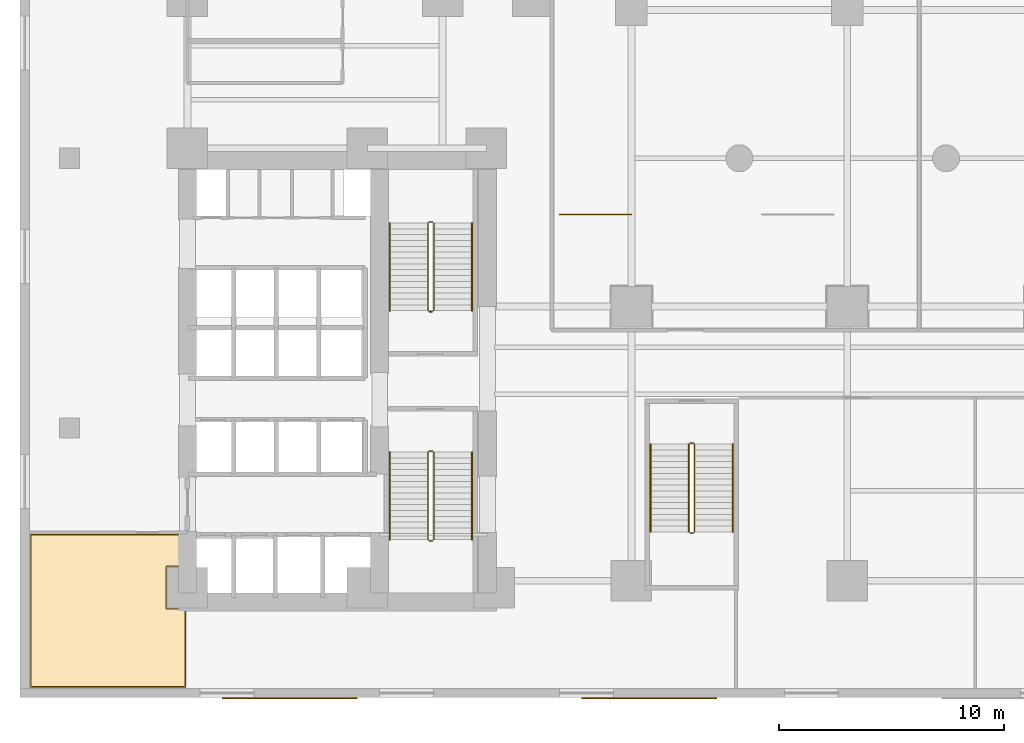
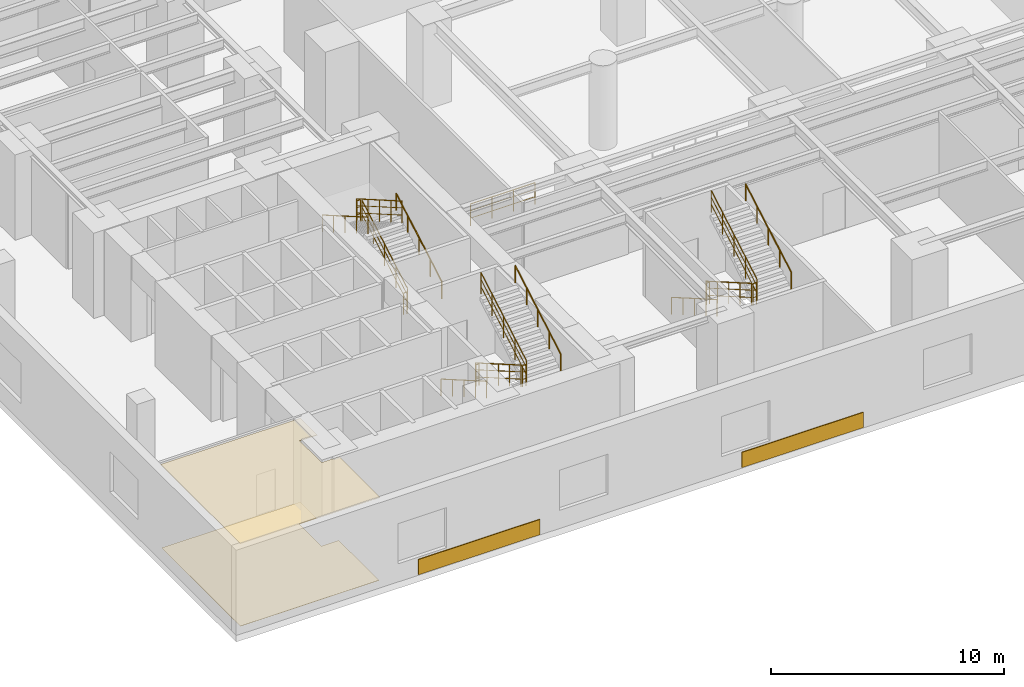
# One storey, part 15 of 16: 19 railings, 4 coverings.
"""IFC4 building model written with IfcOpenShell, lengths in metres."""

from ifc_helpers import new_model, si_unit, direction, frame, origin, origin_2d, place, context, subcontext, project, spatial, polyline, rectangle, circle, outline, extrude, material, layer, layer_set, type_object, element, save


model = new_model("IFC4")

# Units and contexts
model_context = context("Model", 3, precision=1e-05, world=origin(), true_north=direction((0.0, 1.0)))
body_context = subcontext(model_context, "Body", "Model", "MODEL_VIEW")
ifc_project = project(units=[si_unit("LENGTHUNIT", "METRE"), si_unit("AREAUNIT", "SQUARE_METRE"), si_unit("VOLUMEUNIT", "CUBIC_METRE"), si_unit("PLANEANGLEUNIT", "RADIAN"), si_unit("MASSUNIT", "GRAM", prefix="KILO")], contexts=[model_context])

# Site, building, storey
site_placement = place(None, origin())
site = spatial("IfcSite", under=ifc_project, at=site_placement, CompositionType="ELEMENT")
building_placement = place(site_placement, origin())
building = spatial("IfcBuilding", under=site, at=building_placement, Name="Kolvaren Waterfront Exchange", CompositionType="ELEMENT")
storey_placement = place(building_placement, frame((0.0, 0.0, 15.199951171875)))
storey = spatial("IfcBuildingStorey", under=building, at=storey_placement, Name="L04", CompositionType="ELEMENT", Elevation=15.199951171875)

# Railing
ifc_material_1 = material(Name="Anodised bronze aluminium and laminated glass", Category="aluminium")
railing_type_1 = type_object("IfcRailingType", Name="ARC-BALUSTRADE-1150", PredefinedType="BALUSTRADE", material=ifc_material_1)
railing_1_placement = place(storey_placement, frame((24.0, 21.5, 0.0)))
element("IfcRailing", 1, at=railing_1_placement, inside=storey, type_object=railing_type_1, Name="L04 gallery balustrade 1", PredefinedType="BALUSTRADE", context=body_context, shape_type="SweptSolid", body=[
    extrude(circle(Radius=0.02392578125, at=origin_2d()), frame((0.0, 0.0, 1.1259765625), z_axis=(1.0, 0.0, 0.0), x_axis=(0.0, 1.0, 0.0)), (0.0, 0.0, 1.0), 3.199951171875),
    extrude(circle(Radius=0.01611328125, at=origin_2d()), frame((0.0, 0.0, 0.390869140625), z_axis=(1.0, 0.0, 0.0), x_axis=(0.0, 1.0, 0.0)), (0.0, 0.0, 1.0), 3.199951171875),
    extrude(circle(Radius=0.01611328125, at=origin_2d()), frame((0.0, 0.0, 0.7705078125), z_axis=(1.0, 0.0, 0.0), x_axis=(0.0, 1.0, 0.0)), (0.0, 0.0, 1.0), 3.199951171875),
    extrude(circle(Radius=0.02099609375, at=origin_2d()), origin(), (0.0, 0.0, 1.0), 1.101806640625),
    extrude(circle(Radius=0.02099609375, at=origin_2d()), frame((1.066650390625, 0.0, 0.0)), (0.0, 0.0, 1.0), 1.101806640625),
    extrude(circle(Radius=0.02099609375, at=origin_2d()), frame((2.13330078125, 0.0, 0.0)), (0.0, 0.0, 1.0), 1.101806640625),
    extrude(circle(Radius=0.02099609375, at=origin_2d()), frame((3.199951171875, 0.0, 0.0)), (0.0, 0.0, 1.0), 1.101806640625),
])

# Coverings
ifc_material_2 = material(Name="Mineral fibre acoustic ceiling tile")
ifc_layer_1 = layer(ifc_material_2, 0.02490234375, Name="Mineral fibre acoustic ceiling tile")
ifc_layer_set_1 = layer_set([ifc_layer_1], Name="Mineral fibre acoustic ceiling tile")
covering_type_1 = type_object("IfcCoveringType", Name="ARC-CEIL-ACOUSTIC-25", PredefinedType="CEILING", material=ifc_layer_set_1)
covering_1_placement = place(storey_placement, frame((0.0, 0.0, 4.344970703125)))
element("IfcCovering", 2, at=covering_1_placement, inside=storey, type_object=covering_type_1, Name="L04 acoustic suspended ceiling 1", PredefinedType="CEILING", context=body_context, shape_type="SweptSolid", body=[
    extrude(outline(polyline([(7.385009765625, 3.9599609375), (6.510009765625, 3.9599609375), (6.510009765625, 5.840087890625), (7.385009765625, 5.840087890625), (7.385009765625, 7.284912109375), (0.465087890625, 7.284912109375), (0.465087890625, 0.465087890625), (7.385009765625, 0.465087890625), (7.385009765625, 3.9599609375)])), origin(), (0.0, 0.0, 1.0), 0.025146484375),
])
ifc_material_3 = material(Name="Honed grey-taupe granite stone", Category="masonry")
ifc_layer_2 = layer(ifc_material_3, 0.044921875, Name="Honed grey-taupe granite stone")
ifc_layer_set_2 = layer_set([ifc_layer_2], Name="Honed grey-taupe granite stone")
covering_type_2 = type_object("IfcCoveringType", Name="ARC-CLAD-GRANITE-45", PredefinedType="CLADDING", material=ifc_layer_set_2)
for number, where, z_axis, x_axis, name in (
    (3, (12.0, -0.02001953125, 0.0498046875), (0.0, 0.0, 1.0), (1.0, 0.0, 0.0), "L04 honed grey-taupe granite spandrel cladding S1"),
    (4, (28.0, -0.02001953125, 0.0498046875), (0.0, 0.0, 1.0), (1.0, 0.0, 0.0), "L04 honed grey-taupe granite spandrel cladding S2"),
):
    element("IfcCovering", number, at=place(storey_placement, frame(where, z_axis=z_axis, x_axis=x_axis)), inside=storey, type_object=covering_type_2, Name=name, PredefinedType="CLADDING", context=body_context, shape_type="SweptSolid", body=[
        extrude(rectangle(XDim=6.0, YDim=0.044921875, at=origin_2d()), origin(), (0.0, 0.0, 1.0), 0.800048828125),
    ])
ifc_material_4 = material(Name="Slip-resistant porcelain tile")
ifc_layer_3 = layer(ifc_material_4, 0.014892578125, Name="Slip-resistant porcelain tile")
ifc_layer_set_3 = layer_set([ifc_layer_3], Name="Slip-resistant porcelain tile")
covering_type_3 = type_object("IfcCoveringType", Name="ARC-FLR-PORC-15", PredefinedType="FLOORING", material=ifc_layer_set_3)
covering_2_placement = place(storey_placement, origin())
element("IfcCovering", 5, at=covering_2_placement, inside=storey, type_object=covering_type_3, Name="L04 floor finish 1", PredefinedType="FLOORING", context=body_context, shape_type="SweptSolid", body=[
    extrude(outline(polyline([(0.5, 7.25), (0.5, 0.5), (7.35009765625, 0.5), (7.35009765625, 3.93994140625), (6.489990234375, 3.93994140625), (6.489990234375, 5.860107421875), (7.35009765625, 5.860107421875), (7.35009765625, 7.25), (0.5, 7.25)])), origin(), (0.0, 0.0, 1.0), 0.01513671875),
])

# Railings
ifc_material_5 = material(Name="Stainless steel 316", Category="steel")
railing_type_2 = type_object("IfcRailingType", Name="ARC-GUARD-STAIR", PredefinedType="GUARDRAIL", material=ifc_material_5)
railing_2_placement = place(storey_placement, frame((18.14990234375, 10.929931640625, 0.150146484375)))
element("IfcRailing", 6, at=railing_2_placement, inside=storey, type_object=railing_type_2, Name="L04 ST1 stair guard 1", PredefinedType="GUARDRAIL", context=body_context, shape_type="SweptSolid", body=[
    extrude(circle(Radius=0.02392578125, at=origin_2d()), frame((0.0, 0.0, 1.1259765625), z_axis=(0.0, -0.866180169578, 0.49973184192), x_axis=(1.0, 0.0, 0.0)), (0.0, 0.0, 1.0), 4.50244140625),
    extrude(circle(Radius=0.01611328125, at=origin_2d()), frame((0.0, 0.0, 0.390869140625), z_axis=(0.0, -0.866180169578, 0.49973184192), x_axis=(1.0, 0.0, 0.0)), (0.0, 0.0, 1.0), 4.50244140625),
    extrude(circle(Radius=0.01611328125, at=origin_2d()), frame((0.0, 0.0, 0.7705078125), z_axis=(0.0, -0.866180169578, 0.49973184192), x_axis=(1.0, 0.0, 0.0)), (0.0, 0.0, 1.0), 4.50244140625),
    extrude(circle(Radius=0.02099609375, at=origin_2d()), origin(), (0.0, 0.0, 1.0), 1.101806640625),
    extrude(circle(Radius=0.02099609375, at=origin_2d()), frame((0.0, -0.97509765625, 0.5625)), (0.0, 0.0, 1.0), 1.101806640625),
    extrude(circle(Radius=0.02099609375, at=origin_2d()), frame((0.0, -1.949951171875, 1.125)), (0.0, 0.0, 1.0), 1.101806640625),
    extrude(circle(Radius=0.02099609375, at=origin_2d()), frame((0.0, -2.9248046875, 1.6875)), (0.0, 0.0, 1.0), 1.101806640625),
    extrude(circle(Radius=0.02099609375, at=origin_2d()), frame((0.0, -3.89990234375, 2.25)), (0.0, 0.0, 1.0), 1.101806640625),
])
railing_3_placement = place(storey_placement, frame((18.199951171875, 6.97998046875, 2.400146484375)))
element("IfcRailing", 7, at=railing_3_placement, inside=storey, type_object=railing_type_2, Name="L04 ST1 stair guard 2", PredefinedType="GUARDRAIL", context=body_context, shape_type="SweptSolid", body=[
    extrude(circle(Radius=0.02392578125, at=origin_2d()), frame((0.0, 0.0, 1.1259765625), z_axis=(1.0, 0.0, 0.0), x_axis=(0.0, 1.0, 0.0)), (0.0, 0.0, 1.0), 0.16015625),
    extrude(circle(Radius=0.01611328125, at=origin_2d()), frame((0.0, 0.0, 0.390869140625), z_axis=(1.0, 0.0, 0.0), x_axis=(0.0, 1.0, 0.0)), (0.0, 0.0, 1.0), 0.16015625),
    extrude(circle(Radius=0.01611328125, at=origin_2d()), frame((0.0, 0.0, 0.7705078125), z_axis=(1.0, 0.0, 0.0), x_axis=(0.0, 1.0, 0.0)), (0.0, 0.0, 1.0), 0.16015625),
    extrude(circle(Radius=0.02099609375, at=origin_2d()), origin(), (0.0, 0.0, 1.0), 1.101806640625),
    extrude(circle(Radius=0.02099609375, at=origin_2d()), frame((0.16015625, 0.0, 0.0)), (0.0, 0.0, 1.0), 1.101806640625),
])
railing_4_placement = place(storey_placement, frame((18.409912109375, 7.030029296875, 2.550048828125)))
element("IfcRailing", 8, at=railing_4_placement, inside=storey, type_object=railing_type_2, Name="L04 ST1 stair guard 3", PredefinedType="GUARDRAIL", context=body_context, shape_type="SweptSolid", body=[
    extrude(circle(Radius=0.02392578125, at=origin_2d()), frame((0.0, 0.0, 1.1259765625), z_axis=(0.0, 0.866180169578, 0.49973184192), x_axis=(-1.0, 0.0, 0.0)), (0.0, 0.0, 1.0), 4.50244140625),
    extrude(circle(Radius=0.01611328125, at=origin_2d()), frame((0.0, 0.0, 0.390869140625), z_axis=(0.0, 0.866180169578, 0.49973184192), x_axis=(-1.0, 0.0, 0.0)), (0.0, 0.0, 1.0), 4.50244140625),
    extrude(circle(Radius=0.01611328125, at=origin_2d()), frame((0.0, 0.0, 0.7705078125), z_axis=(0.0, 0.866180169578, 0.49973184192), x_axis=(-1.0, 0.0, 0.0)), (0.0, 0.0, 1.0), 4.50244140625),
    extrude(circle(Radius=0.02099609375, at=origin_2d()), origin(), (0.0, 0.0, 1.0), 1.101806640625),
    extrude(circle(Radius=0.02099609375, at=origin_2d()), frame((0.0, 0.97509765625, 0.5625)), (0.0, 0.0, 1.0), 1.101806640625),
    extrude(circle(Radius=0.02099609375, at=origin_2d()), frame((0.0, 1.949951171875, 1.125)), (0.0, 0.0, 1.0), 1.101806640625),
    extrude(circle(Radius=0.02099609375, at=origin_2d()), frame((0.0, 2.9248046875, 1.6875)), (0.0, 0.0, 1.0), 1.101806640625),
    extrude(circle(Radius=0.02099609375, at=origin_2d()), frame((0.0, 3.89990234375, 2.25)), (0.0, 0.0, 1.0), 1.101806640625),
])
railing_5_placement = place(storey_placement, frame((18.199951171875, 10.97998046875, 0.0)))
element("IfcRailing", 9, at=railing_5_placement, inside=storey, type_object=railing_type_2, Name="L04 ST1 stair guard 4", PredefinedType="GUARDRAIL", context=body_context, shape_type="SweptSolid", body=[
    extrude(circle(Radius=0.02392578125, at=origin_2d()), frame((0.0, 0.0, 1.1259765625), z_axis=(1.0, 0.0, 0.0), x_axis=(0.0, 1.0, 0.0)), (0.0, 0.0, 1.0), 0.16015625),
    extrude(circle(Radius=0.01611328125, at=origin_2d()), frame((0.0, 0.0, 0.390869140625), z_axis=(1.0, 0.0, 0.0), x_axis=(0.0, 1.0, 0.0)), (0.0, 0.0, 1.0), 0.16015625),
    extrude(circle(Radius=0.01611328125, at=origin_2d()), frame((0.0, 0.0, 0.7705078125), z_axis=(1.0, 0.0, 0.0), x_axis=(0.0, 1.0, 0.0)), (0.0, 0.0, 1.0), 0.16015625),
    extrude(circle(Radius=0.02099609375, at=origin_2d()), origin(), (0.0, 0.0, 1.0), 1.101806640625),
    extrude(circle(Radius=0.02099609375, at=origin_2d()), frame((0.16015625, 0.0, 0.0)), (0.0, 0.0, 1.0), 1.101806640625),
])
railing_6_placement = place(storey_placement, frame((18.409912109375, 17.219970703125, 0.150146484375)))
element("IfcRailing", 10, at=railing_6_placement, inside=storey, type_object=railing_type_2, Name="L04 ST2 stair guard 1", PredefinedType="GUARDRAIL", context=body_context, shape_type="SweptSolid", body=[
    extrude(circle(Radius=0.02392578125, at=origin_2d()), frame((0.0, 0.0, 1.1259765625), z_axis=(0.0, 0.866193710181, 0.499708371395), x_axis=(-1.0, 0.0, 0.0)), (0.0, 0.0, 1.0), 4.502685546875),
    extrude(circle(Radius=0.01611328125, at=origin_2d()), frame((0.0, 0.0, 0.390869140625), z_axis=(0.0, 0.866193710181, 0.499708371395), x_axis=(-1.0, 0.0, 0.0)), (0.0, 0.0, 1.0), 4.502685546875),
    extrude(circle(Radius=0.01611328125, at=origin_2d()), frame((0.0, 0.0, 0.7705078125), z_axis=(0.0, 0.866193710181, 0.499708371395), x_axis=(-1.0, 0.0, 0.0)), (0.0, 0.0, 1.0), 4.502685546875),
    extrude(circle(Radius=0.02099609375, at=origin_2d()), origin(), (0.0, 0.0, 1.0), 1.101806640625),
    extrude(circle(Radius=0.02099609375, at=origin_2d()), frame((0.0, 0.97509765625, 0.5625)), (0.0, 0.0, 1.0), 1.101806640625),
    extrude(circle(Radius=0.02099609375, at=origin_2d()), frame((0.0, 1.9501953125, 1.125)), (0.0, 0.0, 1.0), 1.101806640625),
    extrude(circle(Radius=0.02099609375, at=origin_2d()), frame((0.0, 2.925048828125, 1.6875)), (0.0, 0.0, 1.0), 1.101806640625),
    extrude(circle(Radius=0.02099609375, at=origin_2d()), frame((0.0, 3.900146484375, 2.25)), (0.0, 0.0, 1.0), 1.101806640625),
])
railing_7_placement = place(storey_placement, frame((18.360107421875, 21.169921875, 2.400146484375)))
element("IfcRailing", 11, at=railing_7_placement, inside=storey, type_object=railing_type_2, Name="L04 ST2 stair guard 2", PredefinedType="GUARDRAIL", context=body_context, shape_type="SweptSolid", body=[
    extrude(circle(Radius=0.02392578125, at=origin_2d()), frame((0.0, 0.0, 1.1259765625), z_axis=(-1.0, 0.0, 0.0), x_axis=(0.0, -1.0, 0.0)), (0.0, 0.0, 1.0), 0.16015625),
    extrude(circle(Radius=0.01611328125, at=origin_2d()), frame((0.0, 0.0, 0.390869140625), z_axis=(-1.0, 0.0, 0.0), x_axis=(0.0, -1.0, 0.0)), (0.0, 0.0, 1.0), 0.16015625),
    extrude(circle(Radius=0.01611328125, at=origin_2d()), frame((0.0, 0.0, 0.7705078125), z_axis=(-1.0, 0.0, 0.0), x_axis=(0.0, -1.0, 0.0)), (0.0, 0.0, 1.0), 0.16015625),
    extrude(circle(Radius=0.02099609375, at=origin_2d()), origin(), (0.0, 0.0, 1.0), 1.101806640625),
    extrude(circle(Radius=0.02099609375, at=origin_2d()), frame((-0.16015625, 0.0, 0.0)), (0.0, 0.0, 1.0), 1.101806640625),
])
railing_8_placement = place(storey_placement, frame((18.14990234375, 21.1201171875, 2.550048828125)))
element("IfcRailing", 12, at=railing_8_placement, inside=storey, type_object=railing_type_2, Name="L04 ST2 stair guard 3", PredefinedType="GUARDRAIL", context=body_context, shape_type="SweptSolid", body=[
    extrude(circle(Radius=0.02392578125, at=origin_2d()), frame((0.0, 0.0, 1.1259765625), z_axis=(0.0, -0.866193710181, 0.499708371395), x_axis=(1.0, 0.0, 0.0)), (0.0, 0.0, 1.0), 4.502685546875),
    extrude(circle(Radius=0.01611328125, at=origin_2d()), frame((0.0, 0.0, 0.390869140625), z_axis=(0.0, -0.866193710181, 0.499708371395), x_axis=(1.0, 0.0, 0.0)), (0.0, 0.0, 1.0), 4.502685546875),
    extrude(circle(Radius=0.01611328125, at=origin_2d()), frame((0.0, 0.0, 0.7705078125), z_axis=(0.0, -0.866193710181, 0.499708371395), x_axis=(1.0, 0.0, 0.0)), (0.0, 0.0, 1.0), 4.502685546875),
    extrude(circle(Radius=0.02099609375, at=origin_2d()), origin(), (0.0, 0.0, 1.0), 1.101806640625),
    extrude(circle(Radius=0.02099609375, at=origin_2d()), frame((0.0, -0.97509765625, 0.5625)), (0.0, 0.0, 1.0), 1.101806640625),
    extrude(circle(Radius=0.02099609375, at=origin_2d()), frame((0.0, -1.9501953125, 1.125)), (0.0, 0.0, 1.0), 1.101806640625),
    extrude(circle(Radius=0.02099609375, at=origin_2d()), frame((0.0, -2.925048828125, 1.6875)), (0.0, 0.0, 1.0), 1.101806640625),
    extrude(circle(Radius=0.02099609375, at=origin_2d()), frame((0.0, -3.900146484375, 2.25)), (0.0, 0.0, 1.0), 1.101806640625),
])
railing_9_placement = place(storey_placement, frame((18.360107421875, 17.169921875, 0.0)))
element("IfcRailing", 13, at=railing_9_placement, inside=storey, type_object=railing_type_2, Name="L04 ST2 stair guard 4", PredefinedType="GUARDRAIL", context=body_context, shape_type="SweptSolid", body=[
    extrude(circle(Radius=0.02392578125, at=origin_2d()), frame((0.0, 0.0, 1.1259765625), z_axis=(-1.0, 0.0, 0.0), x_axis=(0.0, -1.0, 0.0)), (0.0, 0.0, 1.0), 0.16015625),
    extrude(circle(Radius=0.01611328125, at=origin_2d()), frame((0.0, 0.0, 0.390869140625), z_axis=(-1.0, 0.0, 0.0), x_axis=(0.0, -1.0, 0.0)), (0.0, 0.0, 1.0), 0.16015625),
    extrude(circle(Radius=0.01611328125, at=origin_2d()), frame((0.0, 0.0, 0.7705078125), z_axis=(-1.0, 0.0, 0.0), x_axis=(0.0, -1.0, 0.0)), (0.0, 0.0, 1.0), 0.16015625),
    extrude(circle(Radius=0.02099609375, at=origin_2d()), origin(), (0.0, 0.0, 1.0), 1.101806640625),
    extrude(circle(Radius=0.02099609375, at=origin_2d()), frame((-0.16015625, 0.0, 0.0)), (0.0, 0.0, 1.0), 1.101806640625),
])
railing_10_placement = place(storey_placement, frame((29.75, 11.280029296875, 0.150146484375)))
element("IfcRailing", 14, at=railing_10_placement, inside=storey, type_object=railing_type_2, Name="L04 ST3 stair guard 1", PredefinedType="GUARDRAIL", context=body_context, shape_type="SweptSolid", body=[
    extrude(circle(Radius=0.02392578125, at=origin_2d()), frame((0.0, 0.0, 1.1259765625), z_axis=(0.0, -0.866193710181, 0.499708371395), x_axis=(1.0, 0.0, 0.0)), (0.0, 0.0, 1.0), 4.502685546875),
    extrude(circle(Radius=0.01611328125, at=origin_2d()), frame((0.0, 0.0, 0.390869140625), z_axis=(0.0, -0.866193710181, 0.499708371395), x_axis=(1.0, 0.0, 0.0)), (0.0, 0.0, 1.0), 4.502685546875),
    extrude(circle(Radius=0.01611328125, at=origin_2d()), frame((0.0, 0.0, 0.7705078125), z_axis=(0.0, -0.866193710181, 0.499708371395), x_axis=(1.0, 0.0, 0.0)), (0.0, 0.0, 1.0), 4.502685546875),
    extrude(circle(Radius=0.02099609375, at=origin_2d()), origin(), (0.0, 0.0, 1.0), 1.101806640625),
    extrude(circle(Radius=0.02099609375, at=origin_2d()), frame((0.0, -0.97509765625, 0.5625)), (0.0, 0.0, 1.0), 1.101806640625),
    extrude(circle(Radius=0.02099609375, at=origin_2d()), frame((0.0, -1.9501953125, 1.125)), (0.0, 0.0, 1.0), 1.101806640625),
    extrude(circle(Radius=0.02099609375, at=origin_2d()), frame((0.0, -2.925048828125, 1.6875)), (0.0, 0.0, 1.0), 1.101806640625),
    extrude(circle(Radius=0.02099609375, at=origin_2d()), frame((0.0, -3.900146484375, 2.25)), (0.0, 0.0, 1.0), 1.101806640625),
])
railing_11_placement = place(storey_placement, frame((29.800048828125, 7.330078125, 2.400146484375)))
element("IfcRailing", 15, at=railing_11_placement, inside=storey, type_object=railing_type_2, Name="L04 ST3 stair guard 2", PredefinedType="GUARDRAIL", context=body_context, shape_type="SweptSolid", body=[
    extrude(circle(Radius=0.02392578125, at=origin_2d()), frame((0.0, 0.0, 1.1259765625), z_axis=(1.0, 0.0, 0.0), x_axis=(0.0, 1.0, 0.0)), (0.0, 0.0, 1.0), 0.159912109375),
    extrude(circle(Radius=0.01611328125, at=origin_2d()), frame((0.0, 0.0, 0.390869140625), z_axis=(1.0, 0.0, 0.0), x_axis=(0.0, 1.0, 0.0)), (0.0, 0.0, 1.0), 0.159912109375),
    extrude(circle(Radius=0.01611328125, at=origin_2d()), frame((0.0, 0.0, 0.7705078125), z_axis=(1.0, 0.0, 0.0), x_axis=(0.0, 1.0, 0.0)), (0.0, 0.0, 1.0), 0.159912109375),
    extrude(circle(Radius=0.02099609375, at=origin_2d()), origin(), (0.0, 0.0, 1.0), 1.101806640625),
    extrude(circle(Radius=0.02099609375, at=origin_2d()), frame((0.159912109375, 0.0, 0.0)), (0.0, 0.0, 1.0), 1.101806640625),
])
railing_12_placement = place(storey_placement, frame((30.010009765625, 7.3798828125, 2.550048828125)))
element("IfcRailing", 16, at=railing_12_placement, inside=storey, type_object=railing_type_2, Name="L04 ST3 stair guard 3", PredefinedType="GUARDRAIL", context=body_context, shape_type="SweptSolid", body=[
    extrude(circle(Radius=0.02392578125, at=origin_2d()), frame((0.0, 0.0, 1.1259765625), z_axis=(0.0, 0.866193710181, 0.499708371395), x_axis=(-1.0, 0.0, 0.0)), (0.0, 0.0, 1.0), 4.502685546875),
    extrude(circle(Radius=0.01611328125, at=origin_2d()), frame((0.0, 0.0, 0.390869140625), z_axis=(0.0, 0.866193710181, 0.499708371395), x_axis=(-1.0, 0.0, 0.0)), (0.0, 0.0, 1.0), 4.502685546875),
    extrude(circle(Radius=0.01611328125, at=origin_2d()), frame((0.0, 0.0, 0.7705078125), z_axis=(0.0, 0.866193710181, 0.499708371395), x_axis=(-1.0, 0.0, 0.0)), (0.0, 0.0, 1.0), 4.502685546875),
    extrude(circle(Radius=0.02099609375, at=origin_2d()), origin(), (0.0, 0.0, 1.0), 1.101806640625),
    extrude(circle(Radius=0.02099609375, at=origin_2d()), frame((0.0, 0.97509765625, 0.5625)), (0.0, 0.0, 1.0), 1.101806640625),
    extrude(circle(Radius=0.02099609375, at=origin_2d()), frame((0.0, 1.9501953125, 1.125)), (0.0, 0.0, 1.0), 1.101806640625),
    extrude(circle(Radius=0.02099609375, at=origin_2d()), frame((0.0, 2.925048828125, 1.6875)), (0.0, 0.0, 1.0), 1.101806640625),
    extrude(circle(Radius=0.02099609375, at=origin_2d()), frame((0.0, 3.900146484375, 2.25)), (0.0, 0.0, 1.0), 1.101806640625),
])
railing_13_placement = place(storey_placement, frame((29.800048828125, 11.330078125, 0.0)))
element("IfcRailing", 17, at=railing_13_placement, inside=storey, type_object=railing_type_2, Name="L04 ST3 stair guard 4", PredefinedType="GUARDRAIL", context=body_context, shape_type="SweptSolid", body=[
    extrude(circle(Radius=0.02392578125, at=origin_2d()), frame((0.0, 0.0, 1.1259765625), z_axis=(1.0, 0.0, 0.0), x_axis=(0.0, 1.0, 0.0)), (0.0, 0.0, 1.0), 0.159912109375),
    extrude(circle(Radius=0.01611328125, at=origin_2d()), frame((0.0, 0.0, 0.390869140625), z_axis=(1.0, 0.0, 0.0), x_axis=(0.0, 1.0, 0.0)), (0.0, 0.0, 1.0), 0.159912109375),
    extrude(circle(Radius=0.01611328125, at=origin_2d()), frame((0.0, 0.0, 0.7705078125), z_axis=(1.0, 0.0, 0.0), x_axis=(0.0, 1.0, 0.0)), (0.0, 0.0, 1.0), 0.159912109375),
    extrude(circle(Radius=0.02099609375, at=origin_2d()), origin(), (0.0, 0.0, 1.0), 1.101806640625),
    extrude(circle(Radius=0.02099609375, at=origin_2d()), frame((0.159912109375, 0.0, 0.0)), (0.0, 0.0, 1.0), 1.101806640625),
])
railing_type_3 = type_object("IfcRailingType", Name="ARC-HANDRAIL-900", PredefinedType="HANDRAIL", material=ifc_material_5)
railing_14_placement = place(storey_placement, frame((16.449951171875, 10.929931640625, 0.150146484375)))
element("IfcRailing", 18, at=railing_14_placement, inside=storey, type_object=railing_type_3, Name="L04 ST1 stair handrail 1", PredefinedType="HANDRAIL", context=body_context, shape_type="SweptSolid", body=[
    extrude(circle(Radius=0.02392578125, at=origin_2d()), frame((0.0, 0.0, 0.8759765625), z_axis=(0.0, -0.866180169578, 0.49973184192), x_axis=(1.0, 0.0, 0.0)), (0.0, 0.0, 1.0), 4.50244140625),
    extrude(circle(Radius=0.02099609375, at=origin_2d()), origin(), (0.0, 0.0, 1.0), 0.851806640625),
    extrude(circle(Radius=0.02099609375, at=origin_2d()), frame((0.0, -0.97509765625, 0.5625)), (0.0, 0.0, 1.0), 0.851806640625),
    extrude(circle(Radius=0.02099609375, at=origin_2d()), frame((0.0, -1.949951171875, 1.125)), (0.0, 0.0, 1.0), 0.851806640625),
    extrude(circle(Radius=0.02099609375, at=origin_2d()), frame((0.0, -2.9248046875, 1.6875)), (0.0, 0.0, 1.0), 0.851806640625),
    extrude(circle(Radius=0.02099609375, at=origin_2d()), frame((0.0, -3.89990234375, 2.25)), (0.0, 0.0, 1.0), 0.851806640625),
])
railing_15_placement = place(storey_placement, frame((20.110107421875, 7.030029296875, 2.550048828125)))
element("IfcRailing", 19, at=railing_15_placement, inside=storey, type_object=railing_type_3, Name="L04 ST1 stair handrail 2", PredefinedType="HANDRAIL", context=body_context, shape_type="SweptSolid", body=[
    extrude(circle(Radius=0.02392578125, at=origin_2d()), frame((0.0, 0.0, 0.8759765625), z_axis=(0.0, 0.866180169578, 0.49973184192), x_axis=(-1.0, 0.0, 0.0)), (0.0, 0.0, 1.0), 4.50244140625),
    extrude(circle(Radius=0.02099609375, at=origin_2d()), origin(), (0.0, 0.0, 1.0), 0.851806640625),
    extrude(circle(Radius=0.02099609375, at=origin_2d()), frame((0.0, 0.97509765625, 0.5625)), (0.0, 0.0, 1.0), 0.851806640625),
    extrude(circle(Radius=0.02099609375, at=origin_2d()), frame((0.0, 1.949951171875, 1.125)), (0.0, 0.0, 1.0), 0.851806640625),
    extrude(circle(Radius=0.02099609375, at=origin_2d()), frame((0.0, 2.9248046875, 1.6875)), (0.0, 0.0, 1.0), 0.851806640625),
    extrude(circle(Radius=0.02099609375, at=origin_2d()), frame((0.0, 3.89990234375, 2.25)), (0.0, 0.0, 1.0), 0.851806640625),
])
railing_16_placement = place(storey_placement, frame((20.110107421875, 17.219970703125, 0.150146484375)))
element("IfcRailing", 20, at=railing_16_placement, inside=storey, type_object=railing_type_3, Name="L04 ST2 stair handrail 1", PredefinedType="HANDRAIL", context=body_context, shape_type="SweptSolid", body=[
    extrude(circle(Radius=0.02392578125, at=origin_2d()), frame((0.0, 0.0, 0.8759765625), z_axis=(0.0, 0.866193710181, 0.499708371395), x_axis=(-1.0, 0.0, 0.0)), (0.0, 0.0, 1.0), 4.502685546875),
    extrude(circle(Radius=0.02099609375, at=origin_2d()), origin(), (0.0, 0.0, 1.0), 0.851806640625),
    extrude(circle(Radius=0.02099609375, at=origin_2d()), frame((0.0, 0.97509765625, 0.5625)), (0.0, 0.0, 1.0), 0.851806640625),
    extrude(circle(Radius=0.02099609375, at=origin_2d()), frame((0.0, 1.9501953125, 1.125)), (0.0, 0.0, 1.0), 0.851806640625),
    extrude(circle(Radius=0.02099609375, at=origin_2d()), frame((0.0, 2.925048828125, 1.6875)), (0.0, 0.0, 1.0), 0.851806640625),
    extrude(circle(Radius=0.02099609375, at=origin_2d()), frame((0.0, 3.900146484375, 2.25)), (0.0, 0.0, 1.0), 0.851806640625),
])
for number, where, name in (
    (21, (16.449951171875, 21.1201171875, 2.550048828125), "L04 ST2 stair handrail 2"),
    (22, (28.050048828125, 11.280029296875, 0.150146484375), "L04 ST3 stair handrail 1"),
):
    element("IfcRailing", number, at=place(storey_placement, frame(where)), inside=storey, type_object=railing_type_3, Name=name, PredefinedType="HANDRAIL", context=body_context, shape_type="SweptSolid", body=[
        extrude(circle(Radius=0.02392578125, at=origin_2d()), frame((0.0, 0.0, 0.8759765625), z_axis=(0.0, -0.866193710181, 0.499708371395), x_axis=(1.0, 0.0, 0.0)), (0.0, 0.0, 1.0), 4.502685546875),
        extrude(circle(Radius=0.02099609375, at=origin_2d()), origin(), (0.0, 0.0, 1.0), 0.851806640625),
        extrude(circle(Radius=0.02099609375, at=origin_2d()), frame((0.0, -0.97509765625, 0.5625)), (0.0, 0.0, 1.0), 0.851806640625),
        extrude(circle(Radius=0.02099609375, at=origin_2d()), frame((0.0, -1.9501953125, 1.125)), (0.0, 0.0, 1.0), 0.851806640625),
        extrude(circle(Radius=0.02099609375, at=origin_2d()), frame((0.0, -2.925048828125, 1.6875)), (0.0, 0.0, 1.0), 0.851806640625),
        extrude(circle(Radius=0.02099609375, at=origin_2d()), frame((0.0, -3.900146484375, 2.25)), (0.0, 0.0, 1.0), 0.851806640625),
    ])
railing_17_placement = place(storey_placement, frame((31.7099609375, 7.3798828125, 2.550048828125)))
element("IfcRailing", 23, at=railing_17_placement, inside=storey, type_object=railing_type_3, Name="L04 ST3 stair handrail 2", PredefinedType="HANDRAIL", context=body_context, shape_type="SweptSolid", body=[
    extrude(circle(Radius=0.02392578125, at=origin_2d()), frame((0.0, 0.0, 0.8759765625), z_axis=(0.0, 0.866193710181, 0.499708371395), x_axis=(-1.0, 0.0, 0.0)), (0.0, 0.0, 1.0), 4.502685546875),
    extrude(circle(Radius=0.02099609375, at=origin_2d()), origin(), (0.0, 0.0, 1.0), 0.851806640625),
    extrude(circle(Radius=0.02099609375, at=origin_2d()), frame((0.0, 0.97509765625, 0.5625)), (0.0, 0.0, 1.0), 0.851806640625),
    extrude(circle(Radius=0.02099609375, at=origin_2d()), frame((0.0, 1.9501953125, 1.125)), (0.0, 0.0, 1.0), 0.851806640625),
    extrude(circle(Radius=0.02099609375, at=origin_2d()), frame((0.0, 2.925048828125, 1.6875)), (0.0, 0.0, 1.0), 0.851806640625),
    extrude(circle(Radius=0.02099609375, at=origin_2d()), frame((0.0, 3.900146484375, 2.25)), (0.0, 0.0, 1.0), 0.851806640625),
])

save(model, "model.ifc")
